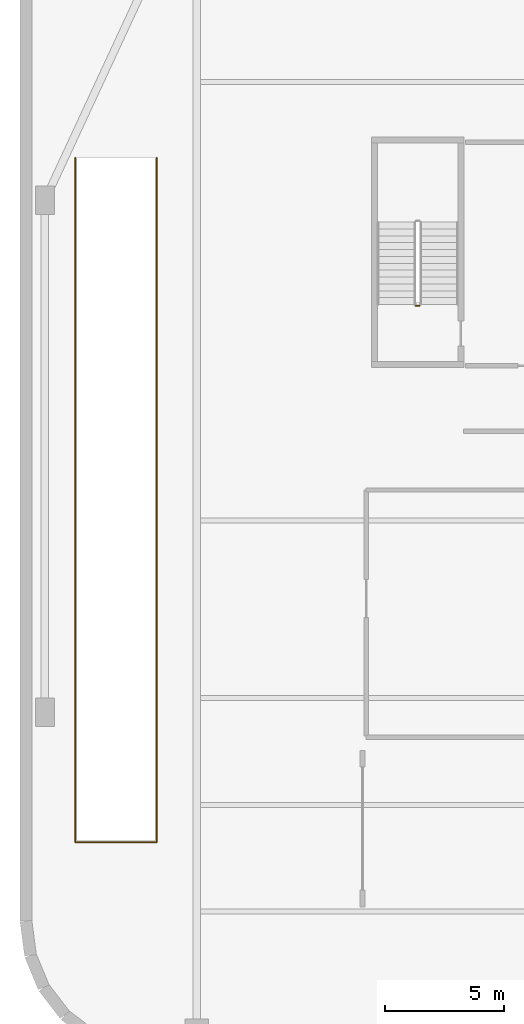
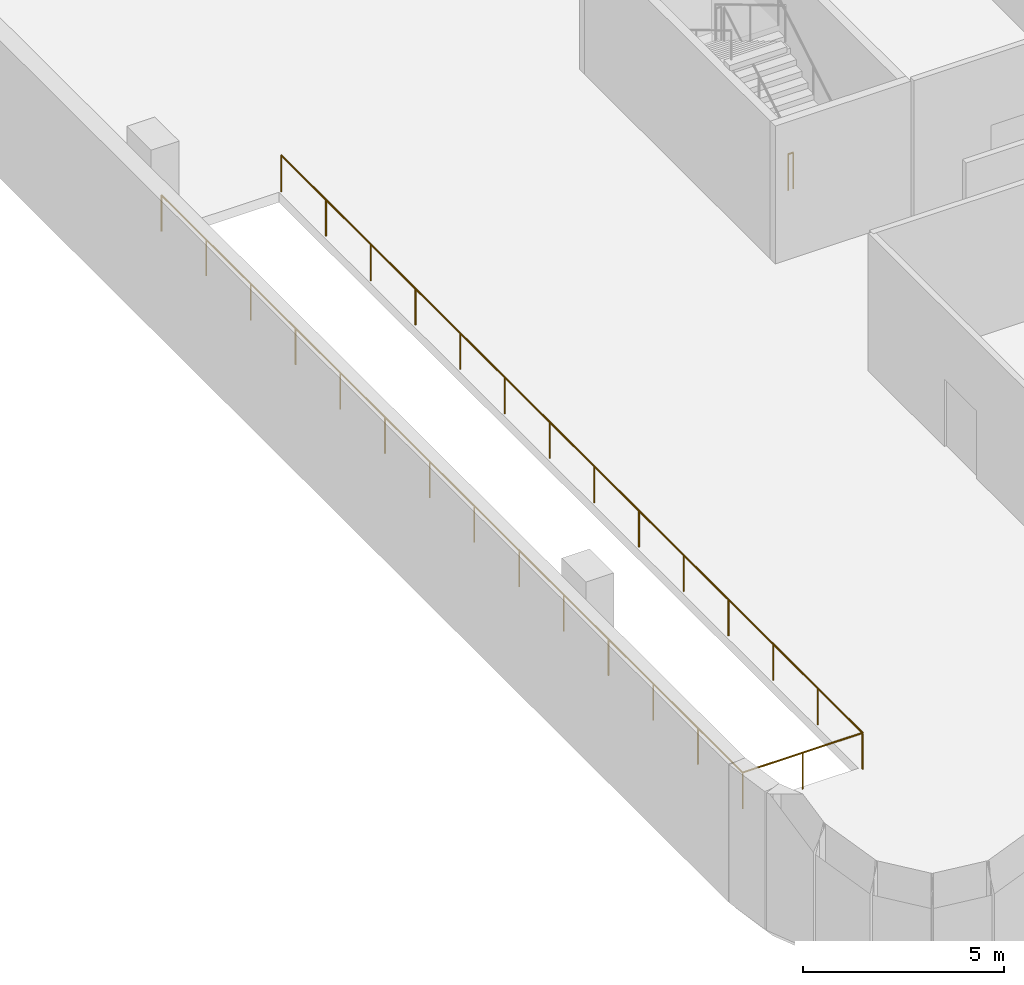
# One storey, part 6 of 8: 2 railings.
"""IFC4 building model written with IfcOpenShell, lengths in metres."""

from ifc_helpers import new_model, si_unit, direction, frame, origin, origin_2d, place, context, subcontext, project, spatial, circle, extrude, material, type_object, element, save


model = new_model("IFC4")

# Units and contexts
model_context = context("Model", 3, precision=1e-05, world=origin(), true_north=direction((0.0, 1.0)))
body_context = subcontext(model_context, "Body", "Model", "MODEL_VIEW")
ifc_project = project(units=[si_unit("LENGTHUNIT", "METRE"), si_unit("AREAUNIT", "SQUARE_METRE"), si_unit("VOLUMEUNIT", "CUBIC_METRE"), si_unit("PLANEANGLEUNIT", "RADIAN"), si_unit("MASSUNIT", "GRAM", prefix="KILO")], contexts=[model_context])

# Site, building, storey
site_placement = place(None, origin())
site = spatial("IfcSite", under=ifc_project, at=site_placement, CompositionType="ELEMENT")
building_placement = place(site_placement, origin())
building = spatial("IfcBuilding", under=site, at=building_placement, Name="Varnelok Gate Tower", CompositionType="ELEMENT")
storey_placement = place(building_placement, frame((0.0, 0.0, -4.5)))
storey = spatial("IfcBuildingStorey", under=building, at=storey_placement, Name="B01", CompositionType="ELEMENT", Elevation=-4.5)

# Railings
ifc_material = material(Name="Galvanized Steel Grade S350GD", Category="steel")
railing_type = type_object("IfcRailingType", Name="RL-STAIR-GUARD1120", PredefinedType="GUARDRAIL", material=ifc_material)
railing_1_placement = place(storey_placement, frame((16.60009765625, 31.550048828125, 0.0)))
element("IfcRailing", 1, at=railing_1_placement, inside=storey, type_object=railing_type, Name="B01 ST-3 stair guard 4", PredefinedType="GUARDRAIL", context=body_context, shape_type="SweptSolid", body=[
    extrude(circle(Radius=0.02392578125, at=origin_2d()), frame((0.0, 0.0, 1.09619140625), z_axis=(-1.0, 0.0, 0.0), x_axis=(0.0, -1.0, 0.0)), (0.0, 0.0, 1.0), 0.150146484375),
    extrude(circle(Radius=0.02099609375, at=origin_2d()), origin(), (0.0, 0.0, 1.0), 1.072021484375),
    extrude(circle(Radius=0.02099609375, at=origin_2d()), frame((-0.150146484375, 0.0, 0.0)), (0.0, 0.0, 1.0), 1.072021484375),
])
railing_2_placement = place(storey_placement, frame((2.080078125, 37.800048828125, 0.0)))
element("IfcRailing", 2, at=railing_2_placement, inside=storey, type_object=railing_type, Name="B01 Car Park Ramp Void Guardrail", PredefinedType="GUARDRAIL", context=body_context, shape_type="SweptSolid", body=[
    extrude(circle(Radius=0.02392578125, at=origin_2d()), frame((0.0, 0.0, 1.09619140625), z_axis=(0.0, -1.0, 0.0), x_axis=(1.0, 0.0, 0.0)), (0.0, 0.0, 1.0), 28.880126953125),
    extrude(circle(Radius=0.02392578125, at=origin_2d()), frame((0.0, -28.880126953125, 1.09619140625), z_axis=(1.0, 0.0, 0.0), x_axis=(0.0, 1.0, 0.0)), (0.0, 0.0, 1.0), 3.43994140625),
    extrude(circle(Radius=0.02392578125, at=origin_2d()), frame((3.43994140625, -28.880126953125, 1.09619140625), z_axis=(0.0, 1.0, 0.0), x_axis=(-1.0, 0.0, 0.0)), (0.0, 0.0, 1.0), 28.880126953125),
    extrude(circle(Radius=0.02099609375, at=origin_2d()), origin(), (0.0, 0.0, 1.0), 1.072021484375),
    extrude(circle(Radius=0.02099609375, at=origin_2d()), frame((0.0, -2.221435546875, 0.0)), (0.0, 0.0, 1.0), 1.072021484375),
    extrude(circle(Radius=0.02099609375, at=origin_2d()), frame((0.0, -4.443115234375, 0.0)), (0.0, 0.0, 1.0), 1.072021484375),
    extrude(circle(Radius=0.02099609375, at=origin_2d()), frame((0.0, -6.66455078125, 0.0)), (0.0, 0.0, 1.0), 1.072021484375),
    extrude(circle(Radius=0.02099609375, at=origin_2d()), frame((0.0, -8.88623046875, 0.0)), (0.0, 0.0, 1.0), 1.072021484375),
    extrude(circle(Radius=0.02099609375, at=origin_2d()), frame((0.0, -11.107666015625, 0.0)), (0.0, 0.0, 1.0), 1.072021484375),
    extrude(circle(Radius=0.02099609375, at=origin_2d()), frame((0.0, -13.329345703125, 0.0)), (0.0, 0.0, 1.0), 1.072021484375),
    extrude(circle(Radius=0.02099609375, at=origin_2d()), frame((0.0, -15.55078125, 0.0)), (0.0, 0.0, 1.0), 1.072021484375),
    extrude(circle(Radius=0.02099609375, at=origin_2d()), frame((0.0, -17.7724609375, 0.0)), (0.0, 0.0, 1.0), 1.072021484375),
    extrude(circle(Radius=0.02099609375, at=origin_2d()), frame((0.0, -19.993896484375, 0.0)), (0.0, 0.0, 1.0), 1.072021484375),
    extrude(circle(Radius=0.02099609375, at=origin_2d()), frame((0.0, -22.215576171875, 0.0)), (0.0, 0.0, 1.0), 1.072021484375),
    extrude(circle(Radius=0.02099609375, at=origin_2d()), frame((0.0, -24.43701171875, 0.0)), (0.0, 0.0, 1.0), 1.072021484375),
    extrude(circle(Radius=0.02099609375, at=origin_2d()), frame((0.0, -26.65869140625, 0.0)), (0.0, 0.0, 1.0), 1.072021484375),
    extrude(circle(Radius=0.02099609375, at=origin_2d()), frame((0.0, -28.880126953125, 0.0)), (0.0, 0.0, 1.0), 1.072021484375),
    extrude(circle(Radius=0.02099609375, at=origin_2d()), frame((1.719970703125, -28.880126953125, 0.0)), (0.0, 0.0, 1.0), 1.072021484375),
    extrude(circle(Radius=0.02099609375, at=origin_2d()), frame((3.43994140625, -28.880126953125, 0.0)), (0.0, 0.0, 1.0), 1.072021484375),
    extrude(circle(Radius=0.02099609375, at=origin_2d()), frame((3.43994140625, -26.65869140625, 0.0)), (0.0, 0.0, 1.0), 1.072021484375),
    extrude(circle(Radius=0.02099609375, at=origin_2d()), frame((3.43994140625, -24.43701171875, 0.0)), (0.0, 0.0, 1.0), 1.072021484375),
    extrude(circle(Radius=0.02099609375, at=origin_2d()), frame((3.43994140625, -22.215576171875, 0.0)), (0.0, 0.0, 1.0), 1.072021484375),
    extrude(circle(Radius=0.02099609375, at=origin_2d()), frame((3.43994140625, -19.993896484375, 0.0)), (0.0, 0.0, 1.0), 1.072021484375),
    extrude(circle(Radius=0.02099609375, at=origin_2d()), frame((3.43994140625, -17.7724609375, 0.0)), (0.0, 0.0, 1.0), 1.072021484375),
    extrude(circle(Radius=0.02099609375, at=origin_2d()), frame((3.43994140625, -15.55078125, 0.0)), (0.0, 0.0, 1.0), 1.072021484375),
    extrude(circle(Radius=0.02099609375, at=origin_2d()), frame((3.43994140625, -13.329345703125, 0.0)), (0.0, 0.0, 1.0), 1.072021484375),
    extrude(circle(Radius=0.02099609375, at=origin_2d()), frame((3.43994140625, -11.107666015625, 0.0)), (0.0, 0.0, 1.0), 1.072021484375),
    extrude(circle(Radius=0.02099609375, at=origin_2d()), frame((3.43994140625, -8.88623046875, 0.0)), (0.0, 0.0, 1.0), 1.072021484375),
    extrude(circle(Radius=0.02099609375, at=origin_2d()), frame((3.43994140625, -6.66455078125, 0.0)), (0.0, 0.0, 1.0), 1.072021484375),
    extrude(circle(Radius=0.02099609375, at=origin_2d()), frame((3.43994140625, -4.443115234375, 0.0)), (0.0, 0.0, 1.0), 1.072021484375),
    extrude(circle(Radius=0.02099609375, at=origin_2d()), frame((3.43994140625, -2.221435546875, 0.0)), (0.0, 0.0, 1.0), 1.072021484375),
    extrude(circle(Radius=0.02099609375, at=origin_2d()), frame((3.43994140625, 0.0, 0.0)), (0.0, 0.0, 1.0), 1.072021484375),
])

save(model, "model.ifc")
